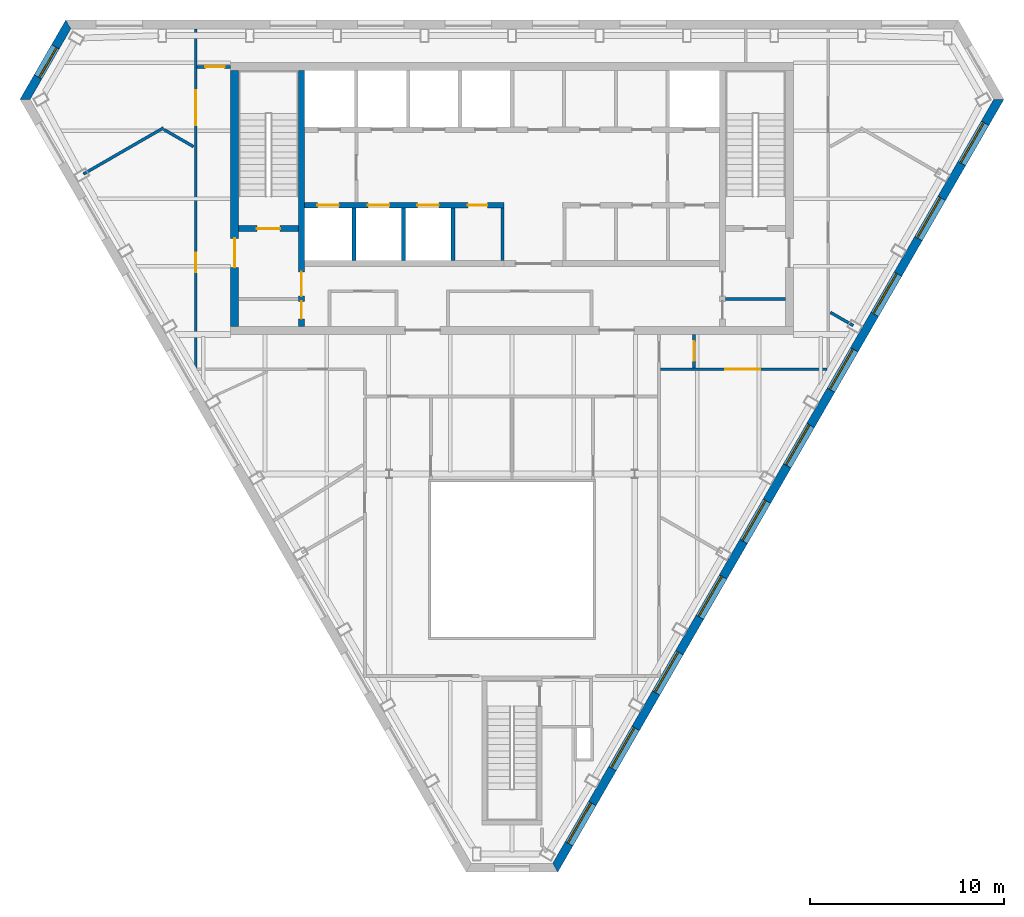
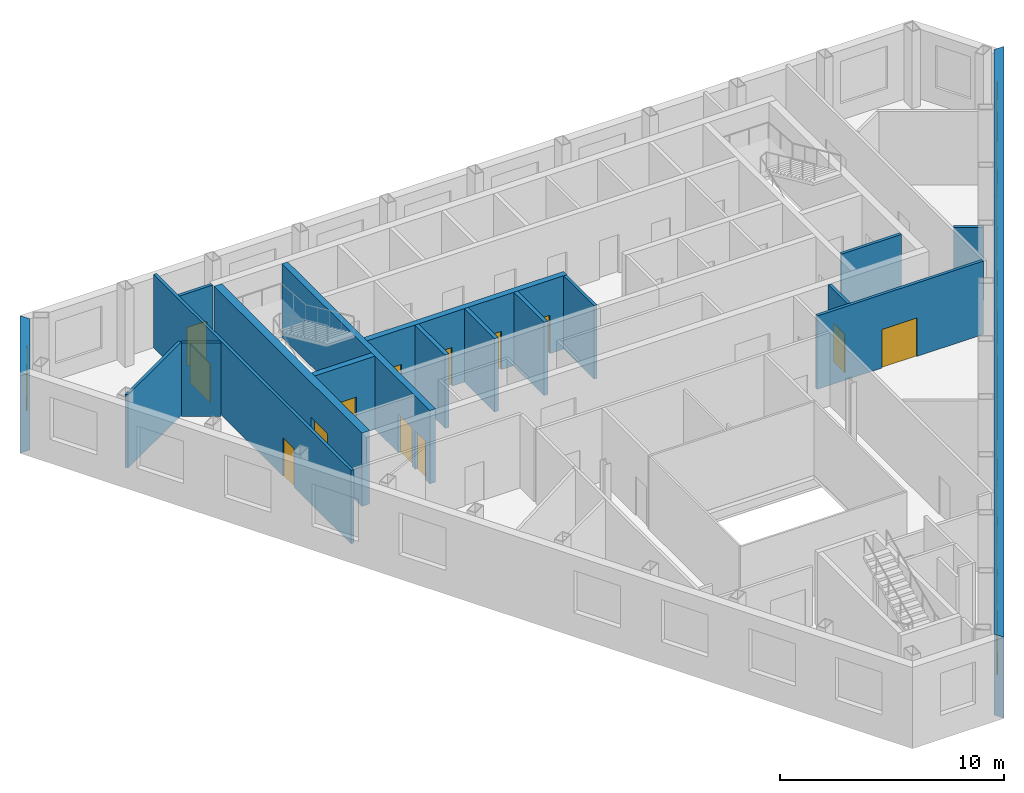
# One storey, part 5 of 10: 18 walls, 13 doors, 11 windows, 24 openings.
"""IFC4 building model written with IfcOpenShell, lengths in metres."""

import ifcopenshell
import ifcopenshell.guid

model = None  # the IFC model being written
_history = None  # IfcOwnerHistory: only IFC2X3 demands one
_inside = {}  # id of a spatial element -> (the spatial element, [elements in it])
_under = {}  # id of a project, library or spatial element -> (it, [spatial elements below it])
_declared = {}  # id of a project -> (the project, [libraries it declares])
_typed = {}  # id of a type object -> (the type object, [elements of that type])
_made_of = {}  # id of a material, layer set ... -> (it, [elements and type objects made of it])


def new_model(schema):
    """Start an empty IFC model of exactly this schema.

    Asked for "IFC4X3", IfcOpenShell would pick the latest addendum, in which some entities
    have other attributes; the version numbers below select the first issue.
    IFC2X3 requires an IfcOwnerHistory on every rooted entity: one is made here for all.
    """
    global model, _history
    if schema == "IFC4X3":
        model = ifcopenshell.file(schema_version=(4, 3, 0, 0))
    else:
        model = ifcopenshell.file(schema=schema)
    _inside.clear()
    _under.clear()
    _declared.clear()
    _typed.clear()
    _made_of.clear()
    _history = None
    if model.schema == "IFC2X3":
        org = make("IfcOrganization", Name="unknown")
        user = make(
            "IfcPersonAndOrganization",
            ThePerson=make("IfcPerson", FamilyName="unknown"),
            TheOrganization=org,
        )
        app = make(
            "IfcApplication",
            ApplicationDeveloper=org,
            Version="unknown",
            ApplicationFullName="unknown",
            ApplicationIdentifier="unknown",
        )
        _history = make(
            "IfcOwnerHistory",
            OwningUser=user,
            OwningApplication=app,
            ChangeAction="ADDED",
            CreationDate=0,
        )
    return model


def make(cls, **values):
    """One entity of the class cls with the attributes given. An attribute that is None is left unset."""
    return model.create_entity(
        cls, **{name: value for name, value in values.items() if value is not None}
    )


def rooted(cls, **values):
    """An entity with a GlobalId (a new one), such as an element, a storey or a relation."""
    return make(cls, GlobalId=ifcopenshell.guid.new(), OwnerHistory=_history, **values)


def si_unit(unit_type, name, prefix=None):
    """IfcSIUnit, for example si_unit("LENGTHUNIT", "METRE", prefix="MILLI")."""
    return make("IfcSIUnit", UnitType=unit_type, Prefix=prefix, Name=name)


def assignment(units):
    """IfcUnitAssignment: the units of a project."""
    return None if units is None else make("IfcUnitAssignment", Units=units)


def point(xyz):
    """IfcCartesianPoint."""
    return None if xyz is None else make("IfcCartesianPoint", Coordinates=xyz)


def direction(xyz):
    """IfcDirection."""
    return None if xyz is None else make("IfcDirection", DirectionRatios=xyz)


def frame(location, z_axis=None, x_axis=None):
    """IfcAxis2Placement3D, a coordinate frame: its origin and axes. An axis left out is left unset."""
    return make(
        "IfcAxis2Placement3D",
        Location=point(location),
        Axis=direction(z_axis),
        RefDirection=direction(x_axis),
    )


def frame_2d(location, x_axis=None):
    """IfcAxis2Placement2D, a coordinate frame in the plane: its origin and x axis."""
    return make(
        "IfcAxis2Placement2D", Location=point(location), RefDirection=direction(x_axis)
    )


def origin():
    """The frame at (0, 0, 0) with its axes left unset."""
    return frame((0.0, 0.0, 0.0))


def place(relative_to, where):
    """IfcLocalPlacement: puts the frame where relative to a parent placement (None: the world)."""
    return make(
        "IfcLocalPlacement", PlacementRelTo=relative_to, RelativePlacement=where
    )


def context(
    kind, dimensions, precision=None, world=None, true_north=None, identifier=None
):
    """IfcGeometricRepresentationContext, for example the 3D "Model" context."""
    return make(
        "IfcGeometricRepresentationContext",
        ContextIdentifier=identifier,
        ContextType=kind,
        CoordinateSpaceDimension=dimensions,
        Precision=precision,
        WorldCoordinateSystem=world,
        TrueNorth=true_north,
    )


def subcontext(parent, identifier, kind, view, scale=None):
    """IfcGeometricRepresentationSubContext, for example "Body" below "Model"."""
    return make(
        "IfcGeometricRepresentationSubContext",
        ContextIdentifier=identifier,
        ContextType=kind,
        ParentContext=parent,
        TargetScale=scale,
        TargetView=view,
    )


def project(units=None, contexts=None):
    """IfcProject with its units and contexts."""
    return rooted(
        "IfcProject",
        Name="project",
        RepresentationContexts=contexts,
        UnitsInContext=assignment(units),
    )


def spatial(cls, under=None, at=None, **own):
    """A site, building, storey or space (cls), placed at a placement, below another one or the project."""
    s = rooted(cls, ObjectPlacement=at, **own)
    if under is not None:
        _under.setdefault(under.id(), (under, []))[1].append(s)
    return s


def polyline(points):
    """IfcPolyline through the points."""
    return make("IfcPolyline", Points=[point(p) for p in points])


def profile(cls, at=None, kind="AREA", **sizes):
    """A parametric profile (cls). Its sizes go by their IFC names, for example OverallWidth=200.0."""
    return make(cls, ProfileType=kind, Position=at, **sizes)


def rectangle(**sizes):
    """IfcRectangleProfileDef."""
    return profile("IfcRectangleProfileDef", **sizes)


def outline(outer, holes=None, kind="AREA"):
    """IfcArbitraryClosedProfileDef: a profile drawn as a closed curve; with holes, ...WithVoids."""
    if holes is None:
        return make("IfcArbitraryClosedProfileDef", ProfileType=kind, OuterCurve=outer)
    return make(
        "IfcArbitraryProfileDefWithVoids",
        ProfileType=kind,
        OuterCurve=outer,
        InnerCurves=holes,
    )


def extrude(swept, where, along, depth):
    """IfcExtrudedAreaSolid: the profile swept, set in the frame where, extruded along a direction by depth."""
    return make(
        "IfcExtrudedAreaSolid",
        SweptArea=swept,
        Position=where,
        ExtrudedDirection=direction(along),
        Depth=depth,
    )


def shape(context_of_items, identifier, shape_type, items):
    """IfcShapeRepresentation: the items that make up one representation, for example the "Body"."""
    return make(
        "IfcShapeRepresentation",
        ContextOfItems=context_of_items,
        RepresentationIdentifier=identifier,
        RepresentationType=shape_type,
        Items=items,
    )


def material(Name=None, Category=None):
    """IfcMaterial."""
    return make("IfcMaterial", Name=Name, Category=Category)


def layer(
    of_material, thickness, ventilated=None, Name=None, Category=None, Priority=None
):
    """IfcMaterialLayer: one layer of a wall or slab, of a material (None: an air gap)."""
    return make(
        "IfcMaterialLayer",
        Material=of_material,
        LayerThickness=thickness,
        IsVentilated=ventilated,
        Name=Name,
        Category=Category,
        Priority=Priority,
    )


def layer_set(layers, Name=None):
    """IfcMaterialLayerSet."""
    return make("IfcMaterialLayerSet", MaterialLayers=layers, LayerSetName=Name)


def made_of(thing, what):
    """Note that an element or type object is made of a material, layer set ...; save() writes the relation."""
    if what is not None:
        _made_of.setdefault(what.id(), (what, []))[1].append(thing)
    return thing


def type_object(cls, material=None, **own):
    """A type object (cls), such as IfcWallType, which elements share."""
    return made_of(rooted(cls, **own), material)


def element(
    cls,
    number,
    at=None,
    inside=None,
    cuts=None,
    type_object=None,
    material=None,
    context=None,
    identifier="Body",
    shape_type=None,
    held_by="IfcProductDefinitionShape",
    body=None,
    shapes=None,
    **own,
):
    """One element of the class cls, such as IfcWall. Its Tag is "e" and its number.

    at: its placement. inside: the storey or other place that contains it. cuts: it is an
    opening in that element (IfcRelVoidsElement). A single representation is given by context,
    identifier, shape_type and body (its items); several are given by shapes. held_by: the class
    of the entity that holds the representations. save() writes the other relations.
    """
    e = rooted(cls, Tag="e%d" % number, ObjectPlacement=at, **own)
    if body is not None:
        shapes = [shape(context, identifier, shape_type, body)]
    if shapes is not None:
        e.Representation = make(held_by, Representations=shapes)
    if inside is not None:
        _inside.setdefault(inside.id(), (inside, []))[1].append(e)
    if cuts is not None:
        rooted(
            "IfcRelVoidsElement", RelatingBuildingElement=cuts, RelatedOpeningElement=e
        )
    if type_object is not None:
        _typed.setdefault(type_object.id(), (type_object, []))[1].append(e)
    return made_of(e, material)


def fill(opening, filler):
    """IfcRelFillsElement: the door or window that sits in an opening."""
    return rooted(
        "IfcRelFillsElement",
        RelatingOpeningElement=opening,
        RelatedBuildingElement=filler,
    )


def aggregate(whole, parts):
    """IfcRelAggregates: a whole, such as a stair, and the parts it consists of."""
    return rooted("IfcRelAggregates", RelatingObject=whole, RelatedObjects=parts)


def save(model, path):
    """Write the relations noted so far, then the file.

    IfcRelAggregates (storeys below a building ...), IfcRelContainedInSpatialStructure (elements
    in a storey), IfcRelDefinesByType, IfcRelAssociatesMaterial and IfcRelDeclares: one each for
    every whole, place, type object, material and project.
    """
    for whole, parts in _under.values():
        aggregate(whole, parts)
    for where, things in _inside.values():
        rooted(
            "IfcRelContainedInSpatialStructure",
            RelatedElements=things,
            RelatingStructure=where,
        )
    for kind, things in _typed.values():
        rooted("IfcRelDefinesByType", RelatedObjects=things, RelatingType=kind)
    for what, things in _made_of.values():
        rooted("IfcRelAssociatesMaterial", RelatedObjects=things, RelatingMaterial=what)
    for by, libraries in _declared.values():
        rooted("IfcRelDeclares", RelatingContext=by, RelatedDefinitions=libraries)
    model.write(path)


model = new_model("IFC4")

# Units and contexts
model_context = context("Model", 3, precision=1e-05, world=origin(), true_north=direction((0.0, 1.0)))
body_context = subcontext(model_context, "Body", "Model", "MODEL_VIEW")
ifc_project = project(units=[si_unit("LENGTHUNIT", "METRE"), si_unit("AREAUNIT", "SQUARE_METRE"), si_unit("VOLUMEUNIT", "CUBIC_METRE"), si_unit("PLANEANGLEUNIT", "RADIAN"), si_unit("MASSUNIT", "GRAM", prefix="KILO")], contexts=[model_context])

# Site, building, storey
site_placement = place(None, origin())
site = spatial("IfcSite", under=ifc_project, at=site_placement, CompositionType="ELEMENT")
building_placement = place(site_placement, origin())
building = spatial("IfcBuilding", under=site, at=building_placement, Name="Njiva Tower", CompositionType="ELEMENT")
storey_placement = place(building_placement, frame((0.0, 0.0, 308.4)))
storey = spatial("IfcBuildingStorey", under=building, at=storey_placement, Name="L70", CompositionType="ELEMENT", Elevation=308.4)

# Walls
ifc_material_1 = material(Name="Blockwork", Category="masonry")
ifc_layer_1 = layer(ifc_material_1, 0.15)
ifc_layer_set_1 = layer_set([ifc_layer_1], Name="Blockwork")
wall_type_1 = type_object("IfcWallType", Name="WT1 Compartment partition 150", PredefinedType="PARTITIONING", material=ifc_layer_set_1)
wall_1_placement = place(storey_placement, frame((-0.5, 7.8, 0.0), z_axis=(0.0, 0.0, 1.0), x_axis=(0.0, 1.0, 0.0)))
element("IfcWall", 1, at=wall_1_placement, inside=storey, type_object=wall_type_1, Name="Partition CS4", PredefinedType="PARTITIONING", context=body_context, shape_type="SweptSolid", body=[
    extrude(rectangle(XDim=2.7, YDim=0.15, at=frame_2d((1.35, 0.0))), origin(), (0.0, 0.0, 1.0), 4.0),
])
wall_2_placement = place(storey_placement, frame((11.0, 5.825, 0.0), z_axis=(0.0, 0.0, 1.0), x_axis=(1.0, 0.0, 0.0)))
element("IfcWall", 2, at=wall_2_placement, inside=storey, type_object=wall_type_1, Name="Room wall B", PredefinedType="PARTITIONING", context=body_context, shape_type="SweptSolid", body=[
    extrude(rectangle(XDim=3.1, YDim=0.15, at=frame_2d((1.55, 0.0))), origin(), (0.0, 0.0, 1.0), 4.0),
])

# Wall, openings, doors
ifc_material_2 = material(Name="Concrete C40/50", Category="concrete")
ifc_layer_2 = layer(ifc_material_2, 0.3)
ifc_layer_set_2 = layer_set([ifc_layer_2], Name="Concrete C40/50")
wall_type_2 = type_object("IfcWallType", Name="WT10 Stair enclosure wall 300", PredefinedType="SHEAR", material=ifc_layer_set_2)
wall_3_placement = place(storey_placement, frame((-10.85, 4.4, 0.0), z_axis=(0.0, 0.0, 1.0), x_axis=(0.0, 1.0, 0.0)))
wall_3 = element("IfcWall", 3, at=wall_3_placement, inside=storey, type_object=wall_type_2, Name="Stair wall west inner", PredefinedType="SHEAR", context=body_context, shape_type="SweptSolid", body=[
    extrude(rectangle(XDim=13.2, YDim=0.3, at=frame_2d((6.6, 0.0))), origin(), (0.0, 0.0, 1.0), 4.0),
])
opening_1_placement = place(wall_3_placement, frame((1.575, 0.0, 0.0)))
opening_1 = element("IfcOpeningElement", 4, at=opening_1_placement, cuts=wall_3, Name="Opening S23-D918", PredefinedType="OPENING", context=body_context, shape_type="SweptSolid", body=[
    extrude(rectangle(XDim=1.25, YDim=2.1, at=frame_2d((0.625, 1.05))), frame((0.0, 0.16, 0.0), z_axis=(0.0, -1.0, 0.0), x_axis=(1.0, 0.0, 0.0)), (0.0, 0.0, 1.0), 0.32),
])
opening_2_placement = place(wall_3_placement, frame((0.4, 0.0, 0.0)))
opening_2 = element("IfcOpeningElement", 5, at=opening_2_placement, cuts=wall_3, Name="Opening S23-D920", PredefinedType="OPENING", context=body_context, shape_type="SweptSolid", body=[
    extrude(rectangle(XDim=0.9, YDim=2.1, at=frame_2d((0.45, 1.05))), frame((0.0, 0.16, 0.0), z_axis=(0.0, -1.0, 0.0), x_axis=(1.0, 0.0, 0.0)), (0.0, 0.0, 1.0), 0.32),
])
ifc_material_3 = material(Name="Steel door, painted", Category="steel")
door_type_1 = type_object("IfcDoorType", Name="D13 Steel door 900x2100", OperationType="SINGLE_SWING_LEFT", PredefinedType="DOOR", material=ifc_material_3)
door_1_placement = place(opening_2_placement, origin())
door_1 = element("IfcDoor", 6, at=door_1_placement, inside=storey, type_object=door_type_1, Name="Business centre door", OperationType="SINGLE_SWING_RIGHT", OverallHeight=2.1, OverallWidth=0.9, PredefinedType="DOOR", context=body_context, shape_type="SweptSolid", body=[
    extrude(rectangle(XDim=0.9, YDim=2.1, at=frame_2d((0.45, 1.05))), frame((0.0, 0.025, 0.0), z_axis=(0.0, -1.0, 0.0), x_axis=(1.0, 0.0, 0.0)), (0.0, 0.0, 1.0), 0.05),
])
fill(opening_2, door_1)
ifc_material_4 = material(Name="Glazed steel fire door", Category="steel")
door_type_2 = type_object("IfcDoorType", Name="D8 Vestibule corridor door 1250x2100 glazed", OperationType="SINGLE_SWING_LEFT", PredefinedType="DOOR", material=ifc_material_4)
door_2_placement = place(opening_1_placement, origin())
door_2 = element("IfcDoor", 7, at=door_2_placement, inside=storey, type_object=door_type_2, Name="Stair vestibule corridor door", OperationType="SINGLE_SWING_LEFT", OverallHeight=2.1, OverallWidth=1.25, PredefinedType="DOOR", context=body_context, shape_type="SweptSolid", body=[
    extrude(rectangle(XDim=1.25, YDim=2.1, at=frame_2d((0.625, 1.05))), frame((0.0, 0.025, 0.0), z_axis=(0.0, -1.0, 0.0), x_axis=(1.0, 0.0, 0.0)), (0.0, 0.0, 1.0), 0.05),
])
fill(opening_1, door_2)

# Wall, opening, door
wall_4_placement = place(storey_placement, frame((-14.1, 9.45, 0.0), z_axis=(0.0, 0.0, 1.0), x_axis=(1.0, 0.0, 0.0)))
wall_4 = element("IfcWall", 8, at=wall_4_placement, inside=storey, type_object=wall_type_2, Name="Stair A south wall", PredefinedType="SHEAR", context=body_context, shape_type="SweptSolid", body=[
    extrude(rectangle(XDim=3.1, YDim=0.3, at=frame_2d((1.55, 0.0))), origin(), (0.0, 0.0, 1.0), 4.0),
])
opening_3_placement = place(wall_4_placement, frame((0.95, 0.0, 0.0)))
opening_3 = element("IfcOpeningElement", 9, at=opening_3_placement, cuts=wall_4, Name="Opening S23-D917", PredefinedType="OPENING", context=body_context, shape_type="SweptSolid", body=[
    extrude(rectangle(XDim=1.2, YDim=2.1, at=frame_2d((0.6, 1.05))), frame((0.0, 0.16, 0.0), z_axis=(0.0, -1.0, 0.0), x_axis=(1.0, 0.0, 0.0)), (0.0, 0.0, 1.0), 0.32),
])
door_type_3 = type_object("IfcDoorType", Name="D7 Stair vestibule door 1200x2100 glazed", OperationType="SINGLE_SWING_LEFT", PredefinedType="DOOR", material=ifc_material_4)
door_3_placement = place(opening_3_placement, origin())
door_3 = element("IfcDoor", 10, at=door_3_placement, inside=storey, type_object=door_type_3, Name="Stair A door", OperationType="SINGLE_SWING_LEFT", OverallHeight=2.1, OverallWidth=1.2, PredefinedType="DOOR", context=body_context, shape_type="SweptSolid", body=[
    extrude(rectangle(XDim=1.2, YDim=2.1, at=frame_2d((0.6, 1.05))), frame((0.0, 0.025, 0.0), z_axis=(0.0, -1.0, 0.0), x_axis=(1.0, 0.0, 0.0)), (0.0, 0.0, 1.0), 0.05),
])
fill(opening_3, door_3)

ifc_material_5 = material(Name="Concrete C60/75", Category="concrete")
ifc_layer_3 = layer(ifc_material_5, 0.4)
ifc_layer_set_3 = layer_set([ifc_layer_3], Name="Concrete C60/75")
wall_type_3 = type_object("IfcWallType", Name="WT11 Core wall 400", PredefinedType="SHEAR", material=ifc_layer_set_3)
wall_5_placement = place(storey_placement, frame((-14.3, 4.4, 0.0), z_axis=(0.0, 0.0, 1.0), x_axis=(0.0, 1.0, 0.0)))
wall_5 = element("IfcWall", 11, at=wall_5_placement, inside=storey, type_object=wall_type_3, Name="Core wall west", PredefinedType="SHEAR", context=body_context, shape_type="SweptSolid", body=[
    extrude(rectangle(XDim=13.2, YDim=0.4, at=frame_2d((6.6, 0.0))), origin(), (0.0, 0.0, 1.0), 4.0),
])
opening_4_placement = place(wall_5_placement, frame((3.05, 0.0, 0.0)))
opening_4 = element("IfcOpeningElement", 12, at=opening_4_placement, cuts=wall_5, Name="Opening S23-D919", PredefinedType="OPENING", context=body_context, shape_type="SweptSolid", body=[
    extrude(rectangle(XDim=1.5, YDim=2.1, at=frame_2d((0.75, 1.05))), frame((0.0, 0.21, 0.0), z_axis=(0.0, -1.0, 0.0), x_axis=(1.0, 0.0, 0.0)), (0.0, 0.0, 1.0), 0.42),
])
door_type_4 = type_object("IfcDoorType", Name="D10 Exit door double 1500x2100 glazed", OperationType="DOUBLE_DOOR_SINGLE_SWING", PredefinedType="DOOR", material=ifc_material_4)
door_4_placement = place(opening_4_placement, origin())
door_4 = element("IfcDoor", 13, at=door_4_placement, inside=storey, type_object=door_type_4, Name="Stair A corridor door", OperationType="DOUBLE_DOOR_SINGLE_SWING", OverallHeight=2.1, OverallWidth=1.5, PredefinedType="DOOR", context=body_context, shape_type="SweptSolid", body=[
    extrude(rectangle(XDim=1.5, YDim=2.1, at=frame_2d((0.75, 1.05))), frame((0.0, 0.025, 0.0), z_axis=(0.0, -1.0, 0.0), x_axis=(1.0, 0.0, 0.0)), (0.0, 0.0, 1.0), 0.05),
])
fill(opening_4, door_4)

# Walls
ifc_material_6 = material(Name="Gypsum board on steel studs", Category="gypsum")
ifc_layer_4 = layer(ifc_material_6, 0.15)
ifc_layer_set_4 = layer_set([ifc_layer_4], Name="Gypsum board on steel studs")
wall_type_4 = type_object("IfcWallType", Name="WT21 Compartment wall 150", PredefinedType="PARTITIONING", material=ifc_layer_set_4)
wall_6_placement = place(storey_placement, frame((-22.092, 12.261, 0.0), z_axis=(0.0, 0.0, 1.0), x_axis=(0.866248432975, 0.499613502989, 0.0)))
element("IfcWall", 14, at=wall_6_placement, inside=storey, type_object=wall_type_4, Name="Partition S23-P001", PredefinedType="PARTITIONING", context=body_context, shape_type="SweptSolid", body=[
    extrude(rectangle(XDim=4.7677, YDim=0.15, at=frame_2d((2.3838, 0.0))), origin(), (0.0, 0.0, 1.0), 4.0),
])
wall_7_placement = place(storey_placement, frame((-17.938, 14.555, 0.0), z_axis=(0.0, 0.0, 1.0), x_axis=(0.866034375916, -0.49998445949, 0.0)))
element("IfcWall", 15, at=wall_7_placement, inside=storey, type_object=wall_type_4, Name="Partition S23-P002", PredefinedType="PARTITIONING", context=body_context, shape_type="SweptSolid", body=[
    extrude(rectangle(XDim=1.7621, YDim=0.15, at=frame_2d((0.881, 0.0))), origin(), (0.0, 0.0, 1.0), 4.0),
])

# Wall, openings, doors
wall_8_placement = place(storey_placement, frame((-16.3, 2.125, 0.0), z_axis=(0.0, 0.0, 1.0), x_axis=(0.0, 1.0, 0.0)))
wall_8 = element("IfcWall", 16, at=wall_8_placement, inside=storey, type_object=wall_type_4, Name="Partition S23-P003", PredefinedType="PARTITIONING", context=body_context, shape_type="SweptSolid", body=[
    extrude(rectangle(XDim=17.623, YDim=0.15, at=frame_2d((8.8115, 0.0))), origin(), (0.0, 0.0, 1.0), 4.0),
])
opening_5_placement = place(wall_8_placement, frame((5.078, 0.0, 0.0)))
opening_5 = element("IfcOpeningElement", 17, at=opening_5_placement, cuts=wall_8, Name="Opening S23-D001", PredefinedType="OPENING", context=body_context, shape_type="SweptSolid", body=[
    extrude(rectangle(XDim=1.0, YDim=2.1, at=frame_2d((0.5, 1.05))), frame((0.0, 0.085, 0.0), z_axis=(0.0, -1.0, 0.0), x_axis=(1.0, 0.0, 0.0)), (0.0, 0.0, 1.0), 0.17),
])
opening_6_placement = place(wall_8_placement, frame((12.654, 0.0, 0.0)))
opening_6 = element("IfcOpeningElement", 18, at=opening_6_placement, cuts=wall_8, Name="Opening S23-D002", PredefinedType="OPENING", context=body_context, shape_type="SweptSolid", body=[
    extrude(rectangle(XDim=1.8, YDim=2.1, at=frame_2d((0.9, 1.05))), frame((0.0, 0.085, 0.0), z_axis=(0.0, -1.0, 0.0), x_axis=(1.0, 0.0, 0.0)), (0.0, 0.0, 1.0), 0.17),
])
ifc_material_7 = material(Name="Steel fire door set", Category="steel")
door_type_5 = type_object("IfcDoorType", Name="D37 Fire door 1000x2100", OperationType="SINGLE_SWING_LEFT", PredefinedType="DOOR", material=ifc_material_7)
door_5_placement = place(opening_5_placement, origin())
door_5 = element("IfcDoor", 19, at=door_5_placement, inside=storey, type_object=door_type_5, Name="Door S23-D001", OperationType="SINGLE_SWING_RIGHT", OverallHeight=2.1, OverallWidth=1.0, PredefinedType="DOOR", context=body_context, shape_type="SweptSolid", body=[
    extrude(rectangle(XDim=1.0, YDim=2.1, at=frame_2d((0.5, 1.05))), frame((0.0, 0.025, 0.0), z_axis=(0.0, -1.0, 0.0), x_axis=(1.0, 0.0, 0.0)), (0.0, 0.0, 1.0), 0.05),
])
fill(opening_5, door_5)
door_type_6 = type_object("IfcDoorType", Name="D38 Fire door 1800x2100", OperationType="DOUBLE_DOOR_SINGLE_SWING", PredefinedType="DOOR", material=ifc_material_7)
door_6_placement = place(opening_6_placement, origin())
door_6 = element("IfcDoor", 20, at=door_6_placement, inside=storey, type_object=door_type_6, Name="Door S23-D002", OperationType="DOUBLE_DOOR_SINGLE_SWING", OverallHeight=2.1, OverallWidth=1.8, PredefinedType="DOOR", context=body_context, shape_type="SweptSolid", body=[
    extrude(rectangle(XDim=1.8, YDim=2.1, at=frame_2d((0.9, 1.05))), frame((0.0, 0.025, 0.0), z_axis=(0.0, -1.0, 0.0), x_axis=(1.0, 0.0, 0.0)), (0.0, 0.0, 1.0), 0.05),
])
fill(opening_6, door_6)

# Wall, opening, door
wall_9_placement = place(storey_placement, frame((-16.225, 17.786, 0.0), z_axis=(0.0, 0.0, 1.0), x_axis=(1.0, 0.0, 0.0)))
wall_9 = element("IfcWall", 21, at=wall_9_placement, inside=storey, type_object=wall_type_4, Name="Partition S23-P005", PredefinedType="PARTITIONING", context=body_context, shape_type="SweptSolid", body=[
    extrude(rectangle(XDim=1.725, YDim=0.15, at=frame_2d((0.8625, 0.0))), origin(), (0.0, 0.0, 1.0), 4.0),
])
opening_7_placement = place(wall_9_placement, frame((0.417, 0.0, 0.0)))
opening_7 = element("IfcOpeningElement", 22, at=opening_7_placement, cuts=wall_9, Name="Opening S23-D004", PredefinedType="OPENING", context=body_context, shape_type="SweptSolid", body=[
    extrude(rectangle(XDim=1.0, YDim=2.1, at=frame_2d((0.5, 1.05))), frame((0.0, 0.085, 0.0), z_axis=(0.0, -1.0, 0.0), x_axis=(1.0, 0.0, 0.0)), (0.0, 0.0, 1.0), 0.17),
])
door_7_placement = place(opening_7_placement, origin())
door_7 = element("IfcDoor", 23, at=door_7_placement, inside=storey, type_object=door_type_5, Name="Door S23-D004", OperationType="SINGLE_SWING_LEFT", OverallHeight=2.1, OverallWidth=1.0, PredefinedType="DOOR", context=body_context, shape_type="SweptSolid", body=[
    extrude(rectangle(XDim=1.0, YDim=2.1, at=frame_2d((0.5, 1.05))), frame((0.0, 0.025, 0.0), z_axis=(0.0, -1.0, 0.0), x_axis=(1.0, 0.0, 0.0)), (0.0, 0.0, 1.0), 0.05),
])
fill(opening_7, door_7)

wall_10_placement = place(storey_placement, frame((7.655, 2.2, 0.0), z_axis=(0.0, 0.0, 1.0), x_axis=(1.0, 0.0, 0.0)))
wall_10 = element("IfcWall", 24, at=wall_10_placement, inside=storey, type_object=wall_type_4, Name="Partition S23-P021", PredefinedType="PARTITIONING", context=body_context, shape_type="SweptSolid", body=[
    extrude(rectangle(XDim=8.57, YDim=0.15, at=frame_2d((4.285, 0.0))), origin(), (0.0, 0.0, 1.0), 4.0),
])
opening_8_placement = place(wall_10_placement, frame((3.334, 0.0, 0.0)))
opening_8 = element("IfcOpeningElement", 25, at=opening_8_placement, cuts=wall_10, Name="Opening S23-D013", PredefinedType="OPENING", context=body_context, shape_type="SweptSolid", body=[
    extrude(rectangle(XDim=1.8, YDim=2.1, at=frame_2d((0.9, 1.05))), frame((0.0, 0.085, 0.0), z_axis=(0.0, -1.0, 0.0), x_axis=(1.0, 0.0, 0.0)), (0.0, 0.0, 1.0), 0.17),
])
door_8_placement = place(opening_8_placement, origin())
door_8 = element("IfcDoor", 26, at=door_8_placement, inside=storey, type_object=door_type_6, Name="Door S23-D013", OperationType="DOUBLE_DOOR_SINGLE_SWING", OverallHeight=2.1, OverallWidth=1.8, PredefinedType="DOOR", context=body_context, shape_type="SweptSolid", body=[
    extrude(rectangle(XDim=1.8, YDim=2.1, at=frame_2d((0.9, 1.05))), frame((0.0, 0.025, 0.0), z_axis=(0.0, -1.0, 0.0), x_axis=(1.0, 0.0, 0.0)), (0.0, 0.0, 1.0), 0.05),
])
fill(opening_8, door_8)

wall_11_placement = place(storey_placement, frame((9.38, 2.275, 0.0), z_axis=(0.0, 0.0, 1.0), x_axis=(0.0, 1.0, 0.0)))
wall_11 = element("IfcWall", 27, at=wall_11_placement, inside=storey, type_object=wall_type_4, Name="Partition S23-P023", PredefinedType="PARTITIONING", context=body_context, shape_type="SweptSolid", body=[
    extrude(rectangle(XDim=1.725, YDim=0.15, at=frame_2d((0.8625, 0.0))), origin(), (0.0, 0.0, 1.0), 4.0),
])
opening_9_placement = place(wall_11_placement, frame((0.362, 0.0, 0.0)))
opening_9 = element("IfcOpeningElement", 28, at=opening_9_placement, cuts=wall_11, Name="Opening S23-D014", PredefinedType="OPENING", context=body_context, shape_type="SweptSolid", body=[
    extrude(rectangle(XDim=1.0, YDim=2.1, at=frame_2d((0.5, 1.05))), frame((0.0, 0.085, 0.0), z_axis=(0.0, -1.0, 0.0), x_axis=(1.0, 0.0, 0.0)), (0.0, 0.0, 1.0), 0.17),
])
door_9_placement = place(opening_9_placement, origin())
door_9 = element("IfcDoor", 29, at=door_9_placement, inside=storey, type_object=door_type_5, Name="Door S23-D014", OperationType="SINGLE_SWING_LEFT", OverallHeight=2.1, OverallWidth=1.0, PredefinedType="DOOR", context=body_context, shape_type="SweptSolid", body=[
    extrude(rectangle(XDim=1.0, YDim=2.1, at=frame_2d((0.5, 1.05))), frame((0.0, 0.025, 0.0), z_axis=(0.0, -1.0, 0.0), x_axis=(1.0, 0.0, 0.0)), (0.0, 0.0, 1.0), 0.05),
])
fill(opening_9, door_9)

# Walls
wall_12_placement = place(storey_placement, frame((16.412, 5.131, 0.0), z_axis=(0.0, 0.0, 1.0), x_axis=(0.866419132933, -0.499317420173, 0.0)))
element("IfcWall", 30, at=wall_12_placement, inside=storey, type_object=wall_type_4, Name="Partition S23-P027", PredefinedType="PARTITIONING", context=body_context, shape_type="SweptSolid", body=[
    extrude(rectangle(XDim=1.3538, YDim=0.15, at=frame_2d((0.6769, 0.0))), origin(), (0.0, 0.0, 1.0), 4.0),
])
ifc_layer_5 = layer(ifc_material_2, 0.2)
ifc_layer_set_5 = layer_set([ifc_layer_5], Name="Concrete C40/50")
wall_type_5 = type_object("IfcWallType", Name="WT6 Lift shaft wall 200", PredefinedType="SHEAR", material=ifc_layer_set_5)
for number, where, z_axis, x_axis, name in (
    (31, (-8.15, 7.8, 0.0), (0.0, 0.0, 1.0), (0.0, 1.0, 0.0), "Shaft wall CS1"),
    (32, (-5.6, 7.8, 0.0), (0.0, 0.0, 1.0), (0.0, 1.0, 0.0), "Shaft wall CS2"),
    (33, (-3.05, 7.8, 0.0), (0.0, 0.0, 1.0), (0.0, 1.0, 0.0), "Shaft wall CS3"),
):
    element("IfcWall", number, at=place(storey_placement, frame(where, z_axis=z_axis, x_axis=x_axis)), inside=storey, type_object=wall_type_5, Name=name, PredefinedType="SHEAR", context=body_context, shape_type="SweptSolid", body=[
        extrude(rectangle(XDim=2.7, YDim=0.2, at=frame_2d((1.35, 0.0))), origin(), (0.0, 0.0, 1.0), 4.0),
    ])

# Wall, openings, doors
ifc_layer_6 = layer(ifc_material_2, 0.3)
ifc_layer_set_6 = layer_set([ifc_layer_6], Name="Concrete C40/50")
wall_type_6 = type_object("IfcWallType", Name="WT7 Lift shaft wall 300", PredefinedType="SHEAR", material=ifc_layer_set_6)
wall_13_placement = place(storey_placement, frame((-10.7, 10.65, 0.0), z_axis=(0.0, 0.0, 1.0), x_axis=(1.0, 0.0, 0.0)))
wall_13 = element("IfcWall", 34, at=wall_13_placement, inside=storey, type_object=wall_type_6, Name="Shaft wall south row lobby side W", PredefinedType="SHEAR", context=body_context, shape_type="SweptSolid", body=[
    extrude(rectangle(XDim=10.3, YDim=0.3, at=frame_2d((5.15, 0.0))), origin(), (0.0, 0.0, 1.0), 4.0),
])
opening_10_placement = place(wall_13_placement, frame((0.675, 0.0, 0.0)))
opening_10 = element("IfcOpeningElement", 35, at=opening_10_placement, cuts=wall_13, Name="Opening S23-D906", PredefinedType="OPENING", context=body_context, shape_type="SweptSolid", body=[
    extrude(rectangle(XDim=1.1, YDim=2.1, at=frame_2d((0.55, 1.05))), frame((0.0, 0.16, 0.0), z_axis=(0.0, -1.0, 0.0), x_axis=(1.0, 0.0, 0.0)), (0.0, 0.0, 1.0), 0.32),
])
opening_11_placement = place(wall_13_placement, frame((3.275, 0.0, 0.0)))
opening_11 = element("IfcOpeningElement", 36, at=opening_11_placement, cuts=wall_13, Name="Opening S23-D907", PredefinedType="OPENING", context=body_context, shape_type="SweptSolid", body=[
    extrude(rectangle(XDim=1.1, YDim=2.1, at=frame_2d((0.55, 1.05))), frame((0.0, 0.16, 0.0), z_axis=(0.0, -1.0, 0.0), x_axis=(1.0, 0.0, 0.0)), (0.0, 0.0, 1.0), 0.32),
])
opening_12_placement = place(wall_13_placement, frame((5.825, 0.0, 0.0)))
opening_12 = element("IfcOpeningElement", 37, at=opening_12_placement, cuts=wall_13, Name="Opening S23-D908", PredefinedType="OPENING", context=body_context, shape_type="SweptSolid", body=[
    extrude(rectangle(XDim=1.1, YDim=2.1, at=frame_2d((0.55, 1.05))), frame((0.0, 0.16, 0.0), z_axis=(0.0, -1.0, 0.0), x_axis=(1.0, 0.0, 0.0)), (0.0, 0.0, 1.0), 0.32),
])
opening_13_placement = place(wall_13_placement, frame((8.425, 0.0, 0.0)))
opening_13 = element("IfcOpeningElement", 38, at=opening_13_placement, cuts=wall_13, Name="Opening S23-D912", PredefinedType="OPENING", context=body_context, shape_type="SweptSolid", body=[
    extrude(rectangle(XDim=1.0, YDim=2.1, at=frame_2d((0.5, 1.05))), frame((0.0, 0.16, 0.0), z_axis=(0.0, -1.0, 0.0), x_axis=(1.0, 0.0, 0.0)), (0.0, 0.0, 1.0), 0.32),
])
door_type_7 = type_object("IfcDoorType", Name="D5 Steel door 1000x2100", OperationType="SINGLE_SWING_LEFT", PredefinedType="DOOR", material=ifc_material_3)
door_10_placement = place(opening_13_placement, origin())
door_10 = element("IfcDoor", 39, at=door_10_placement, inside=storey, type_object=door_type_7, Name="Breakout room door", OperationType="SINGLE_SWING_RIGHT", OverallHeight=2.1, OverallWidth=1.0, PredefinedType="DOOR", context=body_context, shape_type="SweptSolid", body=[
    extrude(rectangle(XDim=1.0, YDim=2.1, at=frame_2d((0.5, 1.05))), frame((0.0, 0.025, 0.0), z_axis=(0.0, -1.0, 0.0), x_axis=(1.0, 0.0, 0.0)), (0.0, 0.0, 1.0), 0.05),
])
fill(opening_13, door_10)
ifc_material_8 = material(Name="Stainless steel sliding door", Category="steel")
door_type_8 = type_object("IfcDoorType", Name="LD Lift landing door 1100x2100", OperationType="SLIDING_TO_LEFT", PredefinedType="DOOR", material=ifc_material_8)
door_11_placement = place(opening_10_placement, origin())
door_11 = element("IfcDoor", 40, at=door_11_placement, inside=storey, type_object=door_type_8, Name="Lift landing door HB1", OperationType="SLIDING_TO_LEFT", OverallHeight=2.1, OverallWidth=1.1, PredefinedType="DOOR", context=body_context, shape_type="SweptSolid", body=[
    extrude(rectangle(XDim=1.1, YDim=2.1, at=frame_2d((0.55, 1.05))), frame((0.0, 0.025, 0.0), z_axis=(0.0, -1.0, 0.0), x_axis=(1.0, 0.0, 0.0)), (0.0, 0.0, 1.0), 0.05),
])
fill(opening_10, door_11)
door_12_placement = place(opening_11_placement, origin())
door_12 = element("IfcDoor", 41, at=door_12_placement, inside=storey, type_object=door_type_8, Name="Lift landing door HB2", OperationType="SLIDING_TO_LEFT", OverallHeight=2.1, OverallWidth=1.1, PredefinedType="DOOR", context=body_context, shape_type="SweptSolid", body=[
    extrude(rectangle(XDim=1.1, YDim=2.1, at=frame_2d((0.55, 1.05))), frame((0.0, 0.025, 0.0), z_axis=(0.0, -1.0, 0.0), x_axis=(1.0, 0.0, 0.0)), (0.0, 0.0, 1.0), 0.05),
])
fill(opening_11, door_12)
door_13_placement = place(opening_12_placement, origin())
door_13 = element("IfcDoor", 42, at=door_13_placement, inside=storey, type_object=door_type_8, Name="Lift landing door HB3", OperationType="SLIDING_TO_LEFT", OverallHeight=2.1, OverallWidth=1.1, PredefinedType="DOOR", context=body_context, shape_type="SweptSolid", body=[
    extrude(rectangle(XDim=1.1, YDim=2.1, at=frame_2d((0.55, 1.05))), frame((0.0, 0.025, 0.0), z_axis=(0.0, -1.0, 0.0), x_axis=(1.0, 0.0, 0.0)), (0.0, 0.0, 1.0), 0.05),
])
fill(opening_12, door_13)

# Wall, openings, windows
ifc_material_9 = material(Name="Brick masonry", Category="masonry")
ifc_layer_7 = layer(ifc_material_9, 0.45)
ifc_layer_set_7 = layer_set([ifc_layer_7], Name="Brick masonry")
wall_type_7 = type_object("IfcWallType", Name="WT90 Brick pier and spandrel wall 450", PredefinedType="SOLIDWALL", material=ifc_layer_set_7)
wall_14_placement = place(storey_placement, frame((2.2301, -23.4911, -0.4), z_axis=(0.0, 0.0, 1.0), x_axis=(0.500000141277, 0.866025322218, 0.0)))
wall_14 = element("IfcWall", 43, at=wall_14_placement, inside=storey, type_object=wall_type_7, Name="Facade wall SE", PredefinedType="SOLIDWALL", context=body_context, shape_type="SweptSolid", body=[
    extrude(outline(polyline([(-0.1299, -0.225), (45.8601, -0.225), (45.6003, 0.225), (0.1299, 0.225), (-0.1299, -0.225)])), origin(), (0.0, 0.0, 1.0), 4.42),
])
opening_14_placement = place(wall_14_placement, frame((1.4237, 0.0, 1.3)))
opening_14 = element("IfcOpeningElement", 44, at=opening_14_placement, cuts=wall_14, Name="Opening S23-W19", PredefinedType="OPENING", context=body_context, shape_type="SweptSolid", body=[
    extrude(rectangle(XDim=2.4, YDim=2.3, at=frame_2d((1.2, 1.15))), frame((0.0, 0.235, 0.0), z_axis=(0.0, -1.0, 0.0), x_axis=(1.0, 0.0, 0.0)), (0.0, 0.0, 1.0), 0.47),
])
opening_15_placement = place(wall_14_placement, frame((5.8919, 0.0, 1.3)))
opening_15 = element("IfcOpeningElement", 45, at=opening_15_placement, cuts=wall_14, Name="Opening S23-W20", PredefinedType="OPENING", context=body_context, shape_type="SweptSolid", body=[
    extrude(rectangle(XDim=2.4, YDim=2.3, at=frame_2d((1.2, 1.15))), frame((0.0, 0.235, 0.0), z_axis=(0.0, -1.0, 0.0), x_axis=(1.0, 0.0, 0.0)), (0.0, 0.0, 1.0), 0.47),
])
opening_16_placement = place(wall_14_placement, frame((10.3985, 0.0, 1.3)))
opening_16 = element("IfcOpeningElement", 46, at=opening_16_placement, cuts=wall_14, Name="Opening S23-W21", PredefinedType="OPENING", context=body_context, shape_type="SweptSolid", body=[
    extrude(rectangle(XDim=2.4, YDim=2.3, at=frame_2d((1.2, 1.15))), frame((0.0, 0.235, 0.0), z_axis=(0.0, -1.0, 0.0), x_axis=(1.0, 0.0, 0.0)), (0.0, 0.0, 1.0), 0.47),
])
opening_17_placement = place(wall_14_placement, frame((14.9052, 0.0, 1.3)))
opening_17 = element("IfcOpeningElement", 47, at=opening_17_placement, cuts=wall_14, Name="Opening S23-W22", PredefinedType="OPENING", context=body_context, shape_type="SweptSolid", body=[
    extrude(rectangle(XDim=2.4, YDim=2.3, at=frame_2d((1.2, 1.15))), frame((0.0, 0.235, 0.0), z_axis=(0.0, -1.0, 0.0), x_axis=(1.0, 0.0, 0.0)), (0.0, 0.0, 1.0), 0.47),
])
opening_18_placement = place(wall_14_placement, frame((19.4118, 0.0, 1.3)))
opening_18 = element("IfcOpeningElement", 48, at=opening_18_placement, cuts=wall_14, Name="Opening S23-W23", PredefinedType="OPENING", context=body_context, shape_type="SweptSolid", body=[
    extrude(rectangle(XDim=2.4, YDim=2.3, at=frame_2d((1.2, 1.15))), frame((0.0, 0.235, 0.0), z_axis=(0.0, -1.0, 0.0), x_axis=(1.0, 0.0, 0.0)), (0.0, 0.0, 1.0), 0.47),
])
opening_19_placement = place(wall_14_placement, frame((23.9184, 0.0, 1.3)))
opening_19 = element("IfcOpeningElement", 49, at=opening_19_placement, cuts=wall_14, Name="Opening S23-W24", PredefinedType="OPENING", context=body_context, shape_type="SweptSolid", body=[
    extrude(rectangle(XDim=2.4, YDim=2.3, at=frame_2d((1.2, 1.15))), frame((0.0, 0.235, 0.0), z_axis=(0.0, -1.0, 0.0), x_axis=(1.0, 0.0, 0.0)), (0.0, 0.0, 1.0), 0.47),
])
opening_20_placement = place(wall_14_placement, frame((28.425, 0.0, 1.3)))
opening_20 = element("IfcOpeningElement", 50, at=opening_20_placement, cuts=wall_14, Name="Opening S23-W25", PredefinedType="OPENING", context=body_context, shape_type="SweptSolid", body=[
    extrude(rectangle(XDim=2.4, YDim=2.3, at=frame_2d((1.2, 1.15))), frame((0.0, 0.235, 0.0), z_axis=(0.0, -1.0, 0.0), x_axis=(1.0, 0.0, 0.0)), (0.0, 0.0, 1.0), 0.47),
])
opening_21_placement = place(wall_14_placement, frame((32.9316, 0.0, 1.3)))
opening_21 = element("IfcOpeningElement", 51, at=opening_21_placement, cuts=wall_14, Name="Opening S23-W26", PredefinedType="OPENING", context=body_context, shape_type="SweptSolid", body=[
    extrude(rectangle(XDim=2.4, YDim=2.3, at=frame_2d((1.2, 1.15))), frame((0.0, 0.235, 0.0), z_axis=(0.0, -1.0, 0.0), x_axis=(1.0, 0.0, 0.0)), (0.0, 0.0, 1.0), 0.47),
])
opening_22_placement = place(wall_14_placement, frame((37.4383, 0.0, 1.3)))
opening_22 = element("IfcOpeningElement", 52, at=opening_22_placement, cuts=wall_14, Name="Opening S23-W27", PredefinedType="OPENING", context=body_context, shape_type="SweptSolid", body=[
    extrude(rectangle(XDim=2.4, YDim=2.3, at=frame_2d((1.2, 1.15))), frame((0.0, 0.235, 0.0), z_axis=(0.0, -1.0, 0.0), x_axis=(1.0, 0.0, 0.0)), (0.0, 0.0, 1.0), 0.47),
])
opening_23_placement = place(wall_14_placement, frame((41.9065, 0.0, 1.3)))
opening_23 = element("IfcOpeningElement", 53, at=opening_23_placement, cuts=wall_14, Name="Opening S23-W28", PredefinedType="OPENING", context=body_context, shape_type="SweptSolid", body=[
    extrude(rectangle(XDim=2.4, YDim=2.3, at=frame_2d((1.2, 1.15))), frame((0.0, 0.235, 0.0), z_axis=(0.0, -1.0, 0.0), x_axis=(1.0, 0.0, 0.0)), (0.0, 0.0, 1.0), 0.47),
])
ifc_material_10 = material(Name="Clear glazing in aluminium frame", Category="aluminium")
window_type_1 = type_object("IfcWindowType", Name="W91 Deep-set window 2400x2300", PartitioningType="SINGLE_PANEL", PredefinedType="WINDOW", material=ifc_material_10)
window_1_placement = place(opening_14_placement, origin())
window_1 = element("IfcWindow", 54, at=window_1_placement, inside=storey, type_object=window_type_1, Name="Window", OverallHeight=2.3, OverallWidth=2.4, PartitioningType="SINGLE_PANEL", PredefinedType="WINDOW", context=body_context, shape_type="SweptSolid", body=[
    extrude(rectangle(XDim=2.4, YDim=2.3, at=frame_2d((1.2, 1.15))), frame((0.0, 0.105, 0.0), z_axis=(0.0, -1.0, 0.0), x_axis=(1.0, 0.0, 0.0)), (0.0, 0.0, 1.0), 0.06),
])
fill(opening_14, window_1)
window_2_placement = place(opening_15_placement, origin())
window_2 = element("IfcWindow", 55, at=window_2_placement, inside=storey, type_object=window_type_1, Name="Window", OverallHeight=2.3, OverallWidth=2.4, PartitioningType="SINGLE_PANEL", PredefinedType="WINDOW", context=body_context, shape_type="SweptSolid", body=[
    extrude(rectangle(XDim=2.4, YDim=2.3, at=frame_2d((1.2, 1.15))), frame((0.0, 0.105, 0.0), z_axis=(0.0, -1.0, 0.0), x_axis=(1.0, 0.0, 0.0)), (0.0, 0.0, 1.0), 0.06),
])
fill(opening_15, window_2)
window_3_placement = place(opening_16_placement, origin())
window_3 = element("IfcWindow", 56, at=window_3_placement, inside=storey, type_object=window_type_1, Name="Window", OverallHeight=2.3, OverallWidth=2.4, PartitioningType="SINGLE_PANEL", PredefinedType="WINDOW", context=body_context, shape_type="SweptSolid", body=[
    extrude(rectangle(XDim=2.4, YDim=2.3, at=frame_2d((1.2, 1.15))), frame((0.0, 0.105, 0.0), z_axis=(0.0, -1.0, 0.0), x_axis=(1.0, 0.0, 0.0)), (0.0, 0.0, 1.0), 0.06),
])
fill(opening_16, window_3)
window_4_placement = place(opening_17_placement, origin())
window_4 = element("IfcWindow", 57, at=window_4_placement, inside=storey, type_object=window_type_1, Name="Window", OverallHeight=2.3, OverallWidth=2.4, PartitioningType="SINGLE_PANEL", PredefinedType="WINDOW", context=body_context, shape_type="SweptSolid", body=[
    extrude(rectangle(XDim=2.4, YDim=2.3, at=frame_2d((1.2, 1.15))), frame((0.0, 0.105, 0.0), z_axis=(0.0, -1.0, 0.0), x_axis=(1.0, 0.0, 0.0)), (0.0, 0.0, 1.0), 0.06),
])
fill(opening_17, window_4)
window_5_placement = place(opening_18_placement, origin())
window_5 = element("IfcWindow", 58, at=window_5_placement, inside=storey, type_object=window_type_1, Name="Window", OverallHeight=2.3, OverallWidth=2.4, PartitioningType="SINGLE_PANEL", PredefinedType="WINDOW", context=body_context, shape_type="SweptSolid", body=[
    extrude(rectangle(XDim=2.4, YDim=2.3, at=frame_2d((1.2, 1.15))), frame((0.0, 0.105, 0.0), z_axis=(0.0, -1.0, 0.0), x_axis=(1.0, 0.0, 0.0)), (0.0, 0.0, 1.0), 0.06),
])
fill(opening_18, window_5)
window_6_placement = place(opening_19_placement, origin())
window_6 = element("IfcWindow", 59, at=window_6_placement, inside=storey, type_object=window_type_1, Name="Window", OverallHeight=2.3, OverallWidth=2.4, PartitioningType="SINGLE_PANEL", PredefinedType="WINDOW", context=body_context, shape_type="SweptSolid", body=[
    extrude(rectangle(XDim=2.4, YDim=2.3, at=frame_2d((1.2, 1.15))), frame((0.0, 0.105, 0.0), z_axis=(0.0, -1.0, 0.0), x_axis=(1.0, 0.0, 0.0)), (0.0, 0.0, 1.0), 0.06),
])
fill(opening_19, window_6)
window_7_placement = place(opening_20_placement, origin())
window_7 = element("IfcWindow", 60, at=window_7_placement, inside=storey, type_object=window_type_1, Name="Window", OverallHeight=2.3, OverallWidth=2.4, PartitioningType="SINGLE_PANEL", PredefinedType="WINDOW", context=body_context, shape_type="SweptSolid", body=[
    extrude(rectangle(XDim=2.4, YDim=2.3, at=frame_2d((1.2, 1.15))), frame((0.0, 0.105, 0.0), z_axis=(0.0, -1.0, 0.0), x_axis=(1.0, 0.0, 0.0)), (0.0, 0.0, 1.0), 0.06),
])
fill(opening_20, window_7)
window_8_placement = place(opening_21_placement, origin())
window_8 = element("IfcWindow", 61, at=window_8_placement, inside=storey, type_object=window_type_1, Name="Window", OverallHeight=2.3, OverallWidth=2.4, PartitioningType="SINGLE_PANEL", PredefinedType="WINDOW", context=body_context, shape_type="SweptSolid", body=[
    extrude(rectangle(XDim=2.4, YDim=2.3, at=frame_2d((1.2, 1.15))), frame((0.0, 0.105, 0.0), z_axis=(0.0, -1.0, 0.0), x_axis=(1.0, 0.0, 0.0)), (0.0, 0.0, 1.0), 0.06),
])
fill(opening_21, window_8)
window_9_placement = place(opening_22_placement, origin())
window_9 = element("IfcWindow", 62, at=window_9_placement, inside=storey, type_object=window_type_1, Name="Window", OverallHeight=2.3, OverallWidth=2.4, PartitioningType="SINGLE_PANEL", PredefinedType="WINDOW", context=body_context, shape_type="SweptSolid", body=[
    extrude(rectangle(XDim=2.4, YDim=2.3, at=frame_2d((1.2, 1.15))), frame((0.0, 0.105, 0.0), z_axis=(0.0, -1.0, 0.0), x_axis=(1.0, 0.0, 0.0)), (0.0, 0.0, 1.0), 0.06),
])
fill(opening_22, window_9)
window_10_placement = place(opening_23_placement, origin())
window_10 = element("IfcWindow", 63, at=window_10_placement, inside=storey, type_object=window_type_1, Name="Window", OverallHeight=2.3, OverallWidth=2.4, PartitioningType="SINGLE_PANEL", PredefinedType="WINDOW", context=body_context, shape_type="SweptSolid", body=[
    extrude(rectangle(XDim=2.4, YDim=2.3, at=frame_2d((1.2, 1.15))), frame((0.0, 0.105, 0.0), z_axis=(0.0, -1.0, 0.0), x_axis=(1.0, 0.0, 0.0)), (0.0, 0.0, 1.0), 0.06),
])
fill(opening_23, window_10)

# Wall, opening, window
ifc_material_11 = material(Name="Brick masonry, buff", Category="masonry")
ifc_layer_8 = layer(ifc_material_11, 0.45)
ifc_layer_set_8 = layer_set([ifc_layer_8], Name="Brick masonry, buff")
wall_type_8 = type_object("IfcWallType", Name="WT94 Brick pier and spandrel wall 450, buff", PredefinedType="SOLIDWALL", material=ifc_layer_set_8)
wall_15_placement = place(storey_placement, frame((-22.8688, 19.9772, -0.4), z_axis=(0.0, 0.0, 1.0), x_axis=(-0.499994806646, -0.866028402148, 0.0)))
wall_15 = element("IfcWall", 64, at=wall_15_placement, inside=storey, type_object=wall_type_8, Name="Facade wall NW", PredefinedType="SOLIDWALL", context=body_context, shape_type="SweptSolid", body=[
    extrude(outline(polyline([(-0.1299, -0.225), (4.5901, -0.225), (4.3303, 0.225), (0.1299, 0.225), (-0.1299, -0.225)])), origin(), (0.0, 0.0, 1.0), 4.2),
])
opening_24_placement = place(wall_15_placement, frame((1.3301, 0.0, 1.3)))
opening_24 = element("IfcOpeningElement", 65, at=opening_24_placement, cuts=wall_15, Name="Opening S23-W08", PredefinedType="OPENING", context=body_context, shape_type="SweptSolid", body=[
    extrude(rectangle(XDim=1.8, YDim=2.3, at=frame_2d((0.9, 1.15))), frame((0.0, 0.235, 0.0), z_axis=(0.0, -1.0, 0.0), x_axis=(1.0, 0.0, 0.0)), (0.0, 0.0, 1.0), 0.47),
])
window_type_2 = type_object("IfcWindowType", Name="W95 Deep-set window 1800x2300", PartitioningType="SINGLE_PANEL", PredefinedType="WINDOW", material=ifc_material_10)
window_11_placement = place(opening_24_placement, origin())
window_11 = element("IfcWindow", 66, at=window_11_placement, inside=storey, type_object=window_type_2, Name="Window", OverallHeight=2.3, OverallWidth=1.8, PartitioningType="SINGLE_PANEL", PredefinedType="WINDOW", context=body_context, shape_type="SweptSolid", body=[
    extrude(rectangle(XDim=1.8, YDim=2.3, at=frame_2d((0.9, 1.15))), frame((0.0, 0.105, 0.0), z_axis=(0.0, -1.0, 0.0), x_axis=(1.0, 0.0, 0.0)), (0.0, 0.0, 1.0), 0.06),
])
fill(opening_24, window_11)

save(model, "model.ifc")
